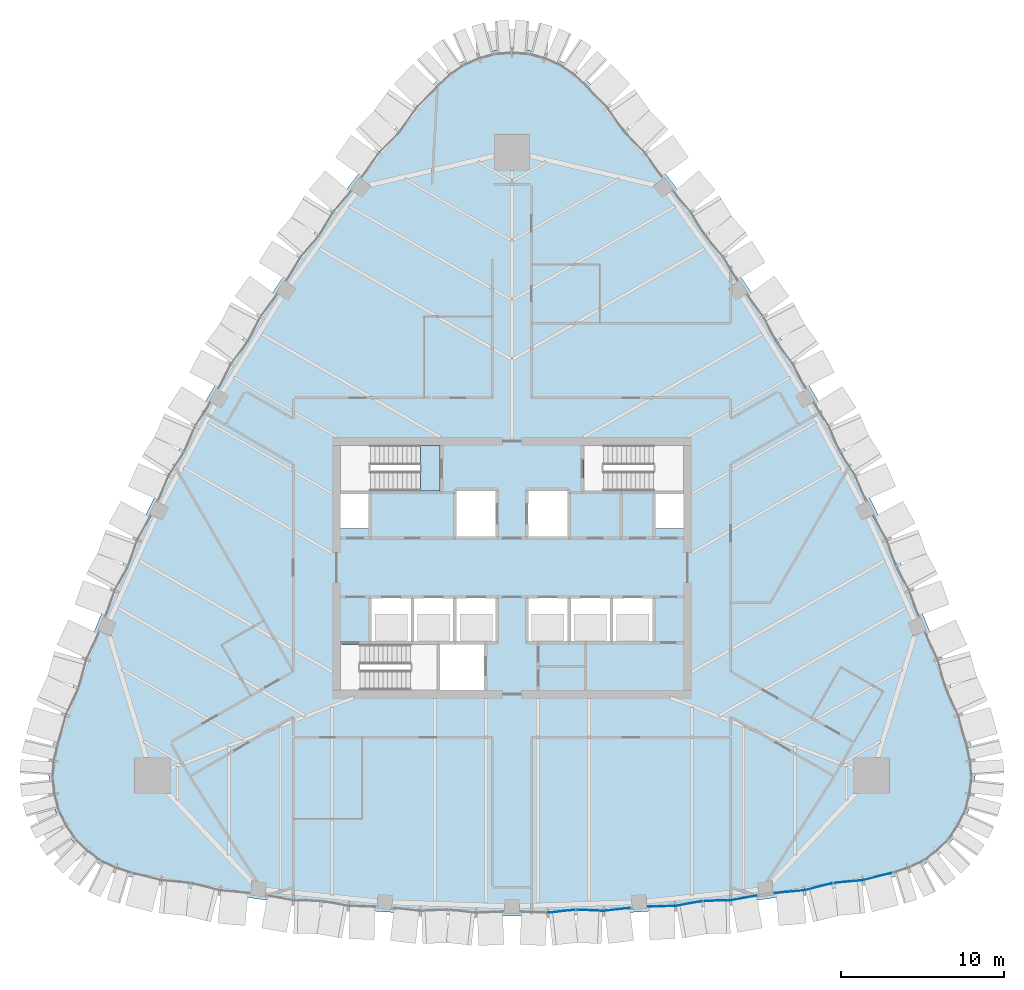
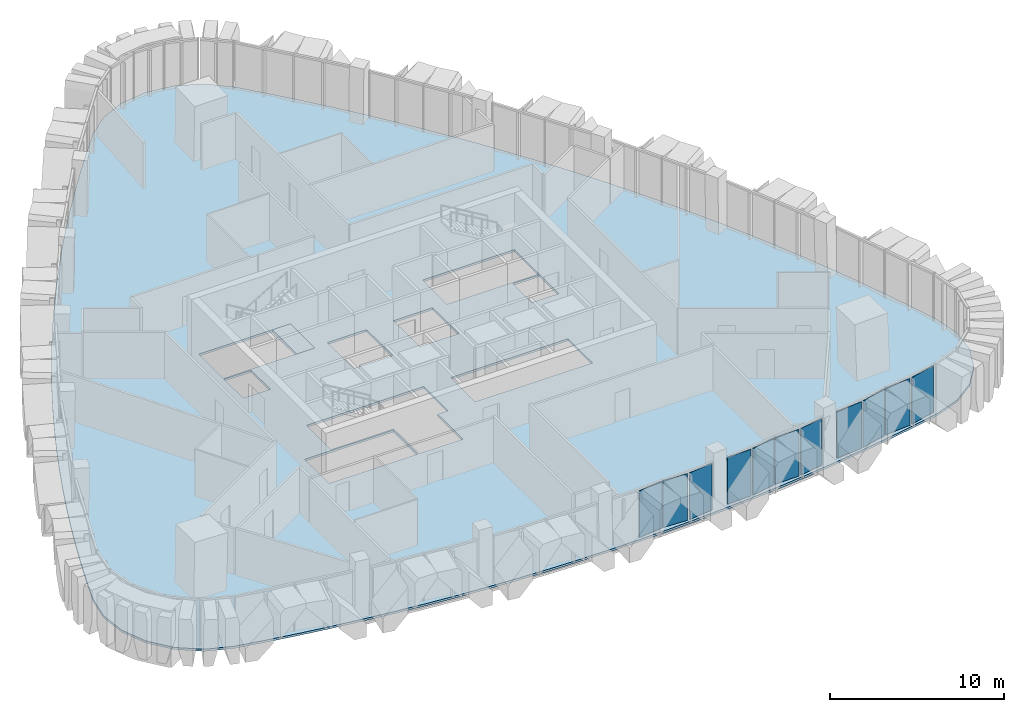
# One storey, part 9 of 20: 11 plates, 2 slabs, 3 elements without a shape of their own.
"""IFC4 building model written with IfcOpenShell, lengths in metres."""

import ifcopenshell
import ifcopenshell.guid

model = None  # the IFC model being written
_history = None  # IfcOwnerHistory: only IFC2X3 demands one
_inside = {}  # id of a spatial element -> (the spatial element, [elements in it])
_under = {}  # id of a project, library or spatial element -> (it, [spatial elements below it])
_declared = {}  # id of a project -> (the project, [libraries it declares])
_typed = {}  # id of a type object -> (the type object, [elements of that type])
_made_of = {}  # id of a material, layer set ... -> (it, [elements and type objects made of it])


def new_model(schema):
    """Start an empty IFC model of exactly this schema.

    Asked for "IFC4X3", IfcOpenShell would pick the latest addendum, in which some entities
    have other attributes; the version numbers below select the first issue.
    IFC2X3 requires an IfcOwnerHistory on every rooted entity: one is made here for all.
    """
    global model, _history
    if schema == "IFC4X3":
        model = ifcopenshell.file(schema_version=(4, 3, 0, 0))
    else:
        model = ifcopenshell.file(schema=schema)
    _inside.clear()
    _under.clear()
    _declared.clear()
    _typed.clear()
    _made_of.clear()
    _history = None
    if model.schema == "IFC2X3":
        org = make("IfcOrganization", Name="unknown")
        user = make(
            "IfcPersonAndOrganization",
            ThePerson=make("IfcPerson", FamilyName="unknown"),
            TheOrganization=org,
        )
        app = make(
            "IfcApplication",
            ApplicationDeveloper=org,
            Version="unknown",
            ApplicationFullName="unknown",
            ApplicationIdentifier="unknown",
        )
        _history = make(
            "IfcOwnerHistory",
            OwningUser=user,
            OwningApplication=app,
            ChangeAction="ADDED",
            CreationDate=0,
        )
    return model


def make(cls, **values):
    """One entity of the class cls with the attributes given. An attribute that is None is left unset."""
    return model.create_entity(
        cls, **{name: value for name, value in values.items() if value is not None}
    )


def rooted(cls, **values):
    """An entity with a GlobalId (a new one), such as an element, a storey or a relation."""
    return make(cls, GlobalId=ifcopenshell.guid.new(), OwnerHistory=_history, **values)


def si_unit(unit_type, name, prefix=None):
    """IfcSIUnit, for example si_unit("LENGTHUNIT", "METRE", prefix="MILLI")."""
    return make("IfcSIUnit", UnitType=unit_type, Prefix=prefix, Name=name)


def assignment(units):
    """IfcUnitAssignment: the units of a project."""
    return None if units is None else make("IfcUnitAssignment", Units=units)


def point(xyz):
    """IfcCartesianPoint."""
    return None if xyz is None else make("IfcCartesianPoint", Coordinates=xyz)


def direction(xyz):
    """IfcDirection."""
    return None if xyz is None else make("IfcDirection", DirectionRatios=xyz)


def frame(location, z_axis=None, x_axis=None):
    """IfcAxis2Placement3D, a coordinate frame: its origin and axes. An axis left out is left unset."""
    return make(
        "IfcAxis2Placement3D",
        Location=point(location),
        Axis=direction(z_axis),
        RefDirection=direction(x_axis),
    )


def origin():
    """The frame at (0, 0, 0) with its axes left unset."""
    return frame((0.0, 0.0, 0.0))


def place(relative_to, where):
    """IfcLocalPlacement: puts the frame where relative to a parent placement (None: the world)."""
    return make(
        "IfcLocalPlacement", PlacementRelTo=relative_to, RelativePlacement=where
    )


def context(
    kind, dimensions, precision=None, world=None, true_north=None, identifier=None
):
    """IfcGeometricRepresentationContext, for example the 3D "Model" context."""
    return make(
        "IfcGeometricRepresentationContext",
        ContextIdentifier=identifier,
        ContextType=kind,
        CoordinateSpaceDimension=dimensions,
        Precision=precision,
        WorldCoordinateSystem=world,
        TrueNorth=true_north,
    )


def subcontext(parent, identifier, kind, view, scale=None):
    """IfcGeometricRepresentationSubContext, for example "Body" below "Model"."""
    return make(
        "IfcGeometricRepresentationSubContext",
        ContextIdentifier=identifier,
        ContextType=kind,
        ParentContext=parent,
        TargetScale=scale,
        TargetView=view,
    )


def project(units=None, contexts=None):
    """IfcProject with its units and contexts."""
    return rooted(
        "IfcProject",
        Name="project",
        RepresentationContexts=contexts,
        UnitsInContext=assignment(units),
    )


def spatial(cls, under=None, at=None, **own):
    """A site, building, storey or space (cls), placed at a placement, below another one or the project."""
    s = rooted(cls, ObjectPlacement=at, **own)
    if under is not None:
        _under.setdefault(under.id(), (under, []))[1].append(s)
    return s


def polyline(points):
    """IfcPolyline through the points."""
    return make("IfcPolyline", Points=[point(p) for p in points])


def outline(outer, holes=None, kind="AREA"):
    """IfcArbitraryClosedProfileDef: a profile drawn as a closed curve; with holes, ...WithVoids."""
    if holes is None:
        return make("IfcArbitraryClosedProfileDef", ProfileType=kind, OuterCurve=outer)
    return make(
        "IfcArbitraryProfileDefWithVoids",
        ProfileType=kind,
        OuterCurve=outer,
        InnerCurves=holes,
    )


def extrude(swept, where, along, depth):
    """IfcExtrudedAreaSolid: the profile swept, set in the frame where, extruded along a direction by depth."""
    return make(
        "IfcExtrudedAreaSolid",
        SweptArea=swept,
        Position=where,
        ExtrudedDirection=direction(along),
        Depth=depth,
    )


def shape(context_of_items, identifier, shape_type, items):
    """IfcShapeRepresentation: the items that make up one representation, for example the "Body"."""
    return make(
        "IfcShapeRepresentation",
        ContextOfItems=context_of_items,
        RepresentationIdentifier=identifier,
        RepresentationType=shape_type,
        Items=items,
    )


def material(Name=None, Category=None):
    """IfcMaterial."""
    return make("IfcMaterial", Name=Name, Category=Category)


def layer(
    of_material, thickness, ventilated=None, Name=None, Category=None, Priority=None
):
    """IfcMaterialLayer: one layer of a wall or slab, of a material (None: an air gap)."""
    return make(
        "IfcMaterialLayer",
        Material=of_material,
        LayerThickness=thickness,
        IsVentilated=ventilated,
        Name=Name,
        Category=Category,
        Priority=Priority,
    )


def layer_set(layers, Name=None):
    """IfcMaterialLayerSet."""
    return make("IfcMaterialLayerSet", MaterialLayers=layers, LayerSetName=Name)


def made_of(thing, what):
    """Note that an element or type object is made of a material, layer set ...; save() writes the relation."""
    if what is not None:
        _made_of.setdefault(what.id(), (what, []))[1].append(thing)
    return thing


def type_object(cls, material=None, **own):
    """A type object (cls), such as IfcWallType, which elements share."""
    return made_of(rooted(cls, **own), material)


def element(
    cls,
    number,
    at=None,
    inside=None,
    cuts=None,
    type_object=None,
    material=None,
    context=None,
    identifier="Body",
    shape_type=None,
    held_by="IfcProductDefinitionShape",
    body=None,
    shapes=None,
    **own,
):
    """One element of the class cls, such as IfcWall. Its Tag is "e" and its number.

    at: its placement. inside: the storey or other place that contains it. cuts: it is an
    opening in that element (IfcRelVoidsElement). A single representation is given by context,
    identifier, shape_type and body (its items); several are given by shapes. held_by: the class
    of the entity that holds the representations. save() writes the other relations.
    """
    e = rooted(cls, Tag="e%d" % number, ObjectPlacement=at, **own)
    if body is not None:
        shapes = [shape(context, identifier, shape_type, body)]
    if shapes is not None:
        e.Representation = make(held_by, Representations=shapes)
    if inside is not None:
        _inside.setdefault(inside.id(), (inside, []))[1].append(e)
    if cuts is not None:
        rooted(
            "IfcRelVoidsElement", RelatingBuildingElement=cuts, RelatedOpeningElement=e
        )
    if type_object is not None:
        _typed.setdefault(type_object.id(), (type_object, []))[1].append(e)
    return made_of(e, material)


def aggregate(whole, parts):
    """IfcRelAggregates: a whole, such as a stair, and the parts it consists of."""
    return rooted("IfcRelAggregates", RelatingObject=whole, RelatedObjects=parts)


def save(model, path):
    """Write the relations noted so far, then the file.

    IfcRelAggregates (storeys below a building ...), IfcRelContainedInSpatialStructure (elements
    in a storey), IfcRelDefinesByType, IfcRelAssociatesMaterial and IfcRelDeclares: one each for
    every whole, place, type object, material and project.
    """
    for whole, parts in _under.values():
        aggregate(whole, parts)
    for where, things in _inside.values():
        rooted(
            "IfcRelContainedInSpatialStructure",
            RelatedElements=things,
            RelatingStructure=where,
        )
    for kind, things in _typed.values():
        rooted("IfcRelDefinesByType", RelatedObjects=things, RelatingType=kind)
    for what, things in _made_of.values():
        rooted("IfcRelAssociatesMaterial", RelatedObjects=things, RelatingMaterial=what)
    for by, libraries in _declared.values():
        rooted("IfcRelDeclares", RelatingContext=by, RelatedDefinitions=libraries)
    model.write(path)


model = new_model("IFC4")

# Units and contexts
model_context = context("Model", 3, precision=1e-05, world=origin(), true_north=direction((0.0, 1.0)))
body_context = subcontext(model_context, "Body", "Model", "MODEL_VIEW")
ifc_project = project(units=[si_unit("LENGTHUNIT", "METRE"), si_unit("AREAUNIT", "SQUARE_METRE"), si_unit("VOLUMEUNIT", "CUBIC_METRE"), si_unit("PLANEANGLEUNIT", "RADIAN"), si_unit("MASSUNIT", "GRAM", prefix="KILO")], contexts=[model_context])

# Site, building, storey
site_placement = place(None, origin())
site = spatial("IfcSite", under=ifc_project, at=site_placement, CompositionType="ELEMENT")
building_placement = place(site_placement, origin())
building = spatial("IfcBuilding", under=site, at=building_placement, Name="Sierra Prisma Convention Tower", CompositionType="ELEMENT")
storey_placement = place(building_placement, frame((0.0, 0.0, 239.0)))
storey = spatial("IfcBuildingStorey", under=building, at=storey_placement, Name="L53", CompositionType="ELEMENT", Elevation=239.0)

# Curtain wall, plates
ifc_material_1 = material(Name="Aluminium and glass curtain wall", Category="aluminium")
ifc_layer_1 = layer(ifc_material_1, 0.179931640625)
ifc_layer_set_1 = layer_set([ifc_layer_1], Name="CW-2 Faceted crystal curtain wall")
curtain_wall_type = type_object("IfcCurtainWallType", Name="CW-2 Faceted crystal curtain wall", PredefinedType="NOTDEFINED", material=ifc_layer_set_1)
curtain_wall_1_placement = place(storey_placement, origin())
curtain_wall_1 = element("IfcCurtainWall", 1, at=curtain_wall_1_placement, inside=storey, type_object=curtain_wall_type, Name="CW-2 S4 L53", PredefinedType="NOTDEFINED")
ifc_material_2 = material(Name="Tinted glass bronze-grey IGU", Category="glass")
ifc_layer_2 = layer(ifc_material_2, 0.028076171875)
ifc_layer_set_2 = layer_set([ifc_layer_2], Name="CW-2 crystal pane")
plate_type = type_object("IfcPlateType", Name="CW-2 crystal pane", PredefinedType="CURTAIN_PANEL", material=ifc_layer_set_2)
plate_1_placement = place(storey_placement, frame((3.86767578125, -20.969482421875, 0.0), z_axis=(0.112305983896, -0.993673671776, 0.0), x_axis=(-0.993673671776, -0.112305983896, 0.0)))
plate_1 = element("IfcPlate", 2, at=plate_1_placement, type_object=plate_type, Name="CW-2 pane S4.1.2", PredefinedType="CURTAIN_PANEL", context=body_context, shape_type="SweptSolid", body=[
    extrude(outline(polyline([(0.0, 0.0), (1.6151987461648736, 0.0), (1.6151987461648736, -3.280029296875), (0.0, -3.280029296875), (0.0, 0.0)])), origin(), (0.0, 0.0, -1.0), 0.028076171875),
])
plate_2_placement = place(storey_placement, frame((3.937744140625, -20.967041015625, 0.0), z_axis=(-0.044440843274, -0.99901201767, 0.0), x_axis=(0.99901201767, -0.044440843274, 0.0)))
plate_2 = element("IfcPlate", 3, at=plate_2_placement, type_object=plate_type, Name="CW-2 pane S4.2.1", PredefinedType="CURTAIN_PANEL", context=body_context, shape_type="SweptSolid", body=[
    extrude(outline(polyline([(0.0, 0.0), (1.6151211017342832, 0.0), (1.6151211017342832, 3.280029296875), (0.0, 3.280029296875), (0.0, 0.0)])), origin(), (0.0, 0.0, -1.0), 0.028076171875),
])
plate_3_placement = place(storey_placement, frame((7.28564453125, -20.852783203125, 0.0), z_axis=(0.112472117985, -0.993654881071, 0.0), x_axis=(-0.993654881071, -0.112472117985, 0.0)))
plate_3 = element("IfcPlate", 4, at=plate_3_placement, type_object=plate_type, Name="CW-2 pane S4.2.2", PredefinedType="CURTAIN_PANEL", context=body_context, shape_type="SweptSolid", body=[
    extrude(outline(polyline([(0.0, 0.0), (1.6149835910790236, 0.0), (1.6149835910790236, -3.280029296875), (0.0, -3.280029296875), (0.0, 0.0)])), origin(), (0.0, 0.0, -1.0), 0.028076171875),
])
aggregate(curtain_wall_1, [plate_1, plate_2, plate_3])

curtain_wall_2_placement = place(storey_placement, origin())
curtain_wall_2 = element("IfcCurtainWall", 5, at=curtain_wall_2_placement, inside=storey, type_object=curtain_wall_type, Name="CW-2 S5 L53", PredefinedType="NOTDEFINED")
plate_4_placement = place(storey_placement, frame((8.3349609375, -20.781494140625, 0.0), z_axis=(0.023849770846, -0.99971555376, 0.0), x_axis=(0.99971555376, 0.023849770846, 0.0)))
plate_4 = element("IfcPlate", 6, at=plate_4_placement, type_object=plate_type, Name="CW-2 pane S5.1.1", PredefinedType="CURTAIN_PANEL", context=body_context, shape_type="SweptSolid", body=[
    extrude(outline(polyline([(0.0, 0.0), (1.6071465999317487, 0.0), (1.6071465999317487, 3.280029296875), (0.0, 3.280029296875), (0.0, 0.0)])), origin(), (0.0, 0.0, -1.0), 0.028076171875),
])
plate_5_placement = place(storey_placement, frame((11.651611328125, -20.440673828125, 0.0), z_axis=(0.17999476053, -0.983667568939, 0.0), x_axis=(-0.983667568939, -0.17999476053, 0.0)))
plate_5 = element("IfcPlate", 7, at=plate_5_placement, type_object=plate_type, Name="CW-2 pane S5.1.2", PredefinedType="CURTAIN_PANEL", context=body_context, shape_type="SweptSolid", body=[
    extrude(outline(polyline([(0.0, 0.0), (1.6073059003112773, 0.0), (1.6073059003112773, -3.280029296875001), (0.0, -3.280029296875001), (0.0, 0.0)])), origin(), (0.0, 0.0, -1.0), 0.028076171875),
])
plate_6_placement = place(storey_placement, frame((11.72119140625, -20.43359375, 0.0), z_axis=(0.023846149423, -0.999715640149, 0.0), x_axis=(0.999715640149, 0.023846149423, 0.0)))
plate_6 = element("IfcPlate", 8, at=plate_6_placement, type_object=plate_type, Name="CW-2 pane S5.2.1", PredefinedType="CURTAIN_PANEL", context=body_context, shape_type="SweptSolid", body=[
    extrude(outline(polyline([(0.0, 0.0), (1.6073906711224124, 0.0), (1.6073906711224124, 3.280029296875), (0.0, 3.280029296875), (0.0, 0.0)])), origin(), (0.0, 0.0, -1.0), 0.028076171875),
])
plate_7_placement = place(storey_placement, frame((15.037841796875, -20.093017578125, 0.0), z_axis=(0.179874658386, -0.983689538051, 0.0), x_axis=(-0.983689538051, -0.179874658386, 0.0)))
plate_7 = element("IfcPlate", 9, at=plate_7_placement, type_object=plate_type, Name="CW-2 pane S5.2.2", PredefinedType="CURTAIN_PANEL", context=body_context, shape_type="SweptSolid", body=[
    extrude(outline(polyline([(0.0, 0.0), (1.6070218150409428, 0.0), (1.6070218150409428, -3.280029296875), (0.0, -3.280029296875), (0.0, 0.0)])), origin(), (0.0, 0.0, -1.0), 0.028076171875),
])
aggregate(curtain_wall_2, [plate_4, plate_5, plate_6, plate_7])

curtain_wall_3_placement = place(storey_placement, origin())
curtain_wall_3 = element("IfcCurtainWall", 10, at=curtain_wall_3_placement, inside=storey, type_object=curtain_wall_type, Name="CW-2 S6 L53", PredefinedType="NOTDEFINED")
plate_8_placement = place(storey_placement, frame((16.111572265625, -19.947021484375, 0.0), z_axis=(0.091959955283, -0.995762705982, 0.0), x_axis=(0.995762705982, 0.091959955283, 0.0)))
plate_8 = element("IfcPlate", 11, at=plate_8_placement, type_object=plate_type, Name="CW-2 pane S6.1.1", PredefinedType="CURTAIN_PANEL", context=body_context, shape_type="SweptSolid", body=[
    extrude(outline(polyline([(0.0, 0.0), (1.730967430438614, 0.0), (1.730967430438614, 3.280029296875), (0.0, 3.280029296875), (0.0, 0.0)])), origin(), (0.0, 0.0, -1.0), 0.028076171875),
])
plate_9_placement = place(storey_placement, frame((19.640625, -19.339111328125, 0.0), z_axis=(0.24654922315, -0.969130270172, 0.0), x_axis=(-0.969130270172, -0.24654922315, 0.0)))
plate_9 = element("IfcPlate", 12, at=plate_9_placement, type_object=plate_type, Name="CW-2 pane S6.1.2", PredefinedType="CURTAIN_PANEL", context=body_context, shape_type="SweptSolid", body=[
    extrude(outline(polyline([(0.0, 0.0), (1.7309233711962173, 0.0), (1.7309233711962173, -3.280029296875), (0.0, -3.280029296875), (0.0, 0.0)])), origin(), (0.0, 0.0, -1.0), 0.028076171875),
])
plate_10_placement = place(storey_placement, frame((19.709716796875, -19.3271484375, 0.0), z_axis=(0.091959955283, -0.995762705982, 0.0), x_axis=(0.995762705982, 0.091959955283, 0.0)))
plate_10 = element("IfcPlate", 13, at=plate_10_placement, type_object=plate_type, Name="CW-2 pane S6.2.1", PredefinedType="CURTAIN_PANEL", context=body_context, shape_type="SweptSolid", body=[
    extrude(outline(polyline([(0.0, 0.0), (1.730967430438614, 0.0), (1.730967430438614, 3.280029296875), (0.0, 3.280029296875), (0.0, 0.0)])), origin(), (0.0, 0.0, -1.0), 0.028076171875),
])
plate_11_placement = place(storey_placement, frame((23.23876953125, -18.71923828125, 0.0), z_axis=(0.24654922315, -0.969130270172, 0.0), x_axis=(-0.969130270172, -0.24654922315, 0.0)))
plate_11 = element("IfcPlate", 14, at=plate_11_placement, type_object=plate_type, Name="CW-2 pane S6.2.2", PredefinedType="CURTAIN_PANEL", context=body_context, shape_type="SweptSolid", body=[
    extrude(outline(polyline([(0.0, 0.0), (1.7309233711962173, 0.0), (1.7309233711962173, -3.280029296875), (0.0, -3.280029296875), (0.0, 0.0)])), origin(), (0.0, 0.0, -1.0), 0.028076171875),
])
aggregate(curtain_wall_3, [plate_8, plate_9, plate_10, plate_11])

# Slabs
ifc_material_3 = material(Name="Concrete C35/45", Category="concrete")
ifc_layer_3 = layer(ifc_material_3, 0.14990234375)
ifc_layer_set_3 = layer_set([ifc_layer_3], Name="Composite floor slab 150")
slab_type_1 = type_object("IfcSlabType", Name="Composite floor slab 150", PredefinedType="FLOOR", material=ifc_layer_set_3)
slab_1_placement = place(storey_placement, frame((0.0, 0.0, -0.14990234375)))
element("IfcSlab", 15, at=slab_1_placement, inside=storey, type_object=slab_type_1, Name="Floor slab L53 floor", PredefinedType="FLOOR", context=body_context, shape_type="SweptSolid", body=[
    extrude(outline(polyline([(-23.358642578125, -18.9521484375), (-21.43603515625, -19.334228515625), (-19.50732421875, -19.683349609375), (-17.57275390625, -19.999755859375), (-15.633056640625, -20.282958984375), (-13.68896484375, -20.533203125), (-11.74072265625, -20.75), (-9.789306640625, -20.93359375), (-7.834716796875, -21.083984375), (-5.878173828125, -21.200927734375), (-3.919677734375, -21.28466796875), (-1.960205078125, -21.334716796875), (0.0, -21.351318359375), (1.960205078125, -21.334716796875), (3.919677734375, -21.28466796875), (5.878173828125, -21.200927734375), (7.834716796875, -21.083984375), (9.789306640625, -20.93359375), (11.74072265625, -20.75), (13.68896484375, -20.533203125), (15.633056640625, -20.282958984375), (17.57275390625, -19.999755859375), (19.50732421875, -19.683349609375), (21.43603515625, -19.334228515625), (23.358642578125, -18.9521484375), (25.029296875, -18.351318359375), (26.468017578125, -17.311279296875), (27.562255859375, -15.9130859375), (28.22607421875, -14.266357421875), (28.407470703125, -12.500244140625), (28.09228515625, -10.753173828125), (27.4619140625, -8.89697265625), (26.800048828125, -7.052001953125), (26.106689453125, -5.218505859375), (25.382080078125, -3.397216796875), (24.626708984375, -1.58837890625), (23.84033203125, 0.207275390625), (23.023681640625, 1.989013671875), (22.1767578125, 3.7568359375), (21.299560546875, 5.510009765625), (20.392822265625, 7.247802734375), (19.45654296875, 8.9697265625), (18.490966796875, 10.67578125), (17.496337890625, 12.364990234375), (16.47314453125, 14.036865234375), (15.421630859375, 15.691162109375), (14.341796875, 17.3271484375), (13.234375, 18.944580078125), (12.099609375, 20.542724609375), (10.937744140625, 22.12158203125), (9.7490234375, 23.68017578125), (8.533935546875, 25.21826171875), (7.292724609375, 26.7353515625), (6.02587890625, 28.231201171875), (4.733642578125, 29.705322265625), (3.378173828125, 30.851806640625), (1.7578125, 31.57763671875), (0.0, 31.826171875), (-1.7578125, 31.57763671875), (-3.378173828125, 30.851806640625), (-4.733642578125, 29.705322265625), (-6.02587890625, 28.231201171875), (-7.292724609375, 26.7353515625), (-8.533935546875, 25.21826171875), (-9.7490234375, 23.68017578125), (-10.937744140625, 22.12158203125), (-12.099609375, 20.542724609375), (-13.234375, 18.944580078125), (-14.341796875, 17.3271484375), (-15.421630859375, 15.691162109375), (-16.47314453125, 14.036865234375), (-17.496337890625, 12.364990234375), (-18.490966796875, 10.67578125), (-19.45654296875, 8.9697265625), (-20.392822265625, 7.247802734375), (-21.299560546875, 5.510009765625), (-22.1767578125, 3.7568359375), (-23.023681640625, 1.989013671875), (-23.84033203125, 0.207275390625), (-24.626708984375, -1.58837890625), (-25.382080078125, -3.397216796875), (-26.106689453125, -5.218505859375), (-26.800048828125, -7.052001953125), (-27.4619140625, -8.89697265625), (-28.09228515625, -10.753173828125), (-28.407470703125, -12.500244140625), (-28.22607421875, -14.266357421875), (-27.562255859375, -15.9130859375), (-26.468017578125, -17.311279296875), (-25.029296875, -18.351318359375), (-23.358642578125, -18.9521484375)]), holes=[polyline([(-4.60009765625, -4.699951171875), (-4.60009765625, -7.5), (-10.5, -7.5), (-10.5, -4.699951171875), (-4.60009765625, -4.699951171875)]), polyline([(-4.5, -7.5), (-4.5, -4.60009765625), (-6.10009765625, -4.60009765625), (-8.699951171875, -4.60009765625), (-8.699951171875, -1.800048828125), (-6.10009765625, -1.800048828125), (-3.5, -1.800048828125), (-0.89990234375, -1.800048828125), (-0.89990234375, -4.60009765625), (-1.60009765625, -4.60009765625), (-1.60009765625, -7.5), (-4.5, -7.5)]), polyline([(-8.699951171875, 2.39990234375), (-10.5, 2.39990234375), (-10.5, 4.60009765625), (-8.699951171875, 4.60009765625), (-8.699951171875, 2.39990234375)]), polyline([(-4.39990234375, 4.699951171875), (-10.5, 4.699951171875), (-10.5, 7.5), (-4.39990234375, 7.5), (-4.39990234375, 4.699951171875)]), polyline([(3.5, -1.800048828125), (6.10009765625, -1.800048828125), (8.699951171875, -1.800048828125), (8.699951171875, -4.60009765625), (6.10009765625, -4.60009765625), (3.5, -4.60009765625), (0.89990234375, -4.60009765625), (0.89990234375, -1.800048828125), (3.5, -1.800048828125)]), polyline([(-0.89990234375, 1.800048828125), (-3.5, 1.800048828125), (-3.5, 4.800048828125), (-0.89990234375, 4.800048828125), (-0.89990234375, 1.800048828125)]), polyline([(3.5, 1.800048828125), (0.89990234375, 1.800048828125), (0.89990234375, 4.800048828125), (3.5, 4.800048828125), (3.5, 1.800048828125)]), polyline([(10.5, 2.39990234375), (8.699951171875, 2.39990234375), (8.699951171875, 4.60009765625), (10.5, 4.60009765625), (10.5, 2.39990234375)]), polyline([(10.5, 4.699951171875), (4.39990234375, 4.699951171875), (4.39990234375, 7.5), (10.5, 7.5), (10.5, 4.699951171875)])]), origin(), (0.0, 0.0, 1.0), 0.14990234375),
])
ifc_material_4 = material(Name="Concrete C35/45", Category="concrete")
ifc_layer_4 = layer(ifc_material_4, 0.199951171875)
ifc_layer_set_4 = layer_set([ifc_layer_4], Name="Stair landing slab")
slab_type_2 = type_object("IfcSlabType", Name="Stair landing slab", PredefinedType="LANDING", material=ifc_layer_set_4)
slab_2_placement = place(storey_placement, frame((0.0, 0.0, -0.199951171875)))
element("IfcSlab", 16, at=slab_2_placement, inside=storey, type_object=slab_type_2, Name="S3 floor landing L53", PredefinedType="LANDING", context=body_context, shape_type="SweptSolid", body=[
    extrude(outline(polyline([(-4.39990234375, 7.5), (-5.60205078125, 7.5), (-5.60205078125, 4.699951171875), (-4.39990234375, 4.699951171875), (-4.39990234375, 7.5)])), origin(), (0.0, 0.0, 1.0), 0.199951171875),
])

save(model, "model.ifc")
